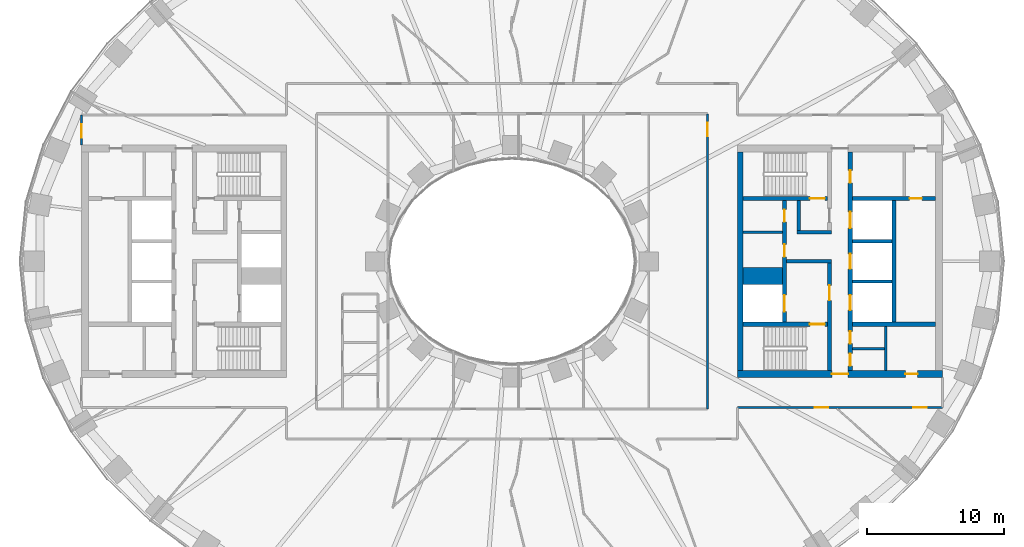
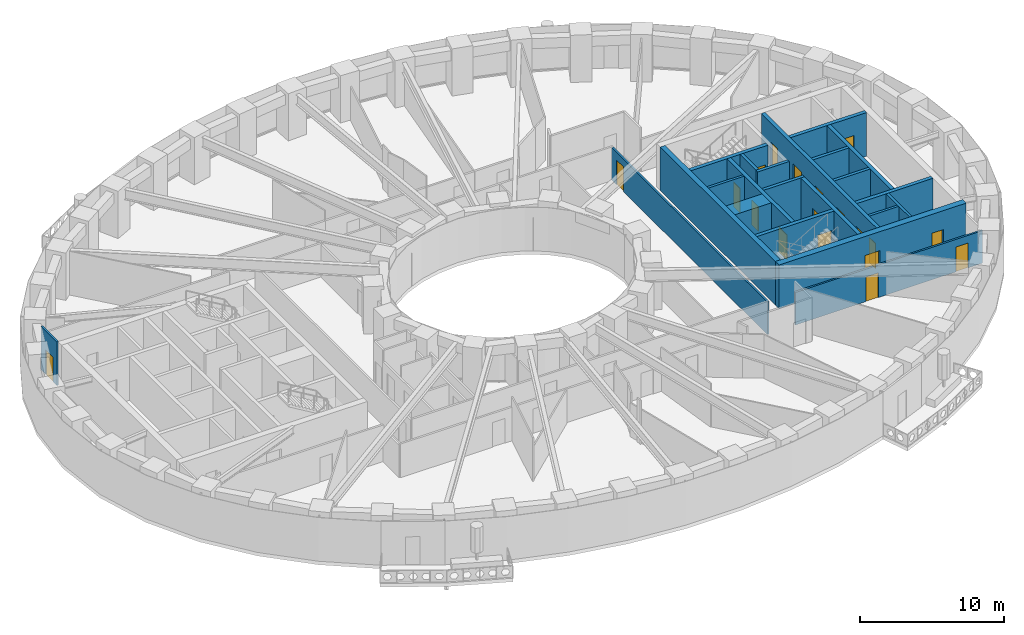
# One storey, part 5 of 15: 22 walls, 19 doors, 19 openings.
"""IFC4 building model written with IfcOpenShell, lengths in metres."""

from ifc_helpers import new_model, si_unit, direction, frame, frame_2d, origin, place, context, subcontext, project, spatial, rectangle, extrude, material, layer, layer_set, type_object, element, fill, save


model = new_model("IFC4")

# Units and contexts
model_context = context("Model", 3, precision=1e-05, world=origin(), true_north=direction((0.0, 1.0)))
body_context = subcontext(model_context, "Body", "Model", "MODEL_VIEW")
ifc_project = project(units=[si_unit("LENGTHUNIT", "METRE"), si_unit("AREAUNIT", "SQUARE_METRE"), si_unit("VOLUMEUNIT", "CUBIC_METRE"), si_unit("PLANEANGLEUNIT", "RADIAN"), si_unit("MASSUNIT", "GRAM", prefix="KILO")], contexts=[model_context])

# Site, building, storey
site_placement = place(None, origin())
site = spatial("IfcSite", under=ifc_project, at=site_placement, CompositionType="ELEMENT")
building_placement = place(site_placement, origin())
building = spatial("IfcBuilding", under=site, at=building_placement, Name="Noorbagh Ring Tower", CompositionType="ELEMENT")
storey_placement = place(building_placement, frame((0.0, 0.0, 38.5)))
storey = spatial("IfcBuildingStorey", under=building, at=storey_placement, Name="L07", CompositionType="ELEMENT", Elevation=38.5)

# Walls
ifc_material_1 = material(Name="Gypsum board on steel studs", Category="steel")
ifc_layer_1 = layer(ifc_material_1, 0.199951171875)
ifc_layer_set_1 = layer_set([ifc_layer_1], Name="Gypsum board on steel studs")
wall_type_1 = type_object("IfcWallType", Name="CORE-PARTITION-200", PredefinedType="PARTITIONING", material=ifc_layer_set_1)
wall_1_placement = place(storey_placement, frame((16.89990234375, 2.125, 0.0), z_axis=(0.0, 0.0, 1.0), x_axis=(1.0, 0.0, 0.0)))
element("IfcWall", 1, at=wall_1_placement, inside=storey, type_object=wall_type_1, Name="Core partition E", PredefinedType="PARTITIONING", context=body_context, shape_type="SweptSolid", body=[
    extrude(rectangle(XDim=2.900146484375, YDim=0.199951171875, at=frame_2d((1.4501953125, 0.0))), origin(), (0.0, 0.0, 1.0), 3.699951171875),
])
wall_2_placement = place(storey_placement, frame((27.35009765625, -8.0, 0.0), z_axis=(0.0, 0.0, 1.0), x_axis=(0.0, 1.0, 0.0)))
element("IfcWall", 2, at=wall_2_placement, inside=storey, type_object=wall_type_1, Name="Core partition E", PredefinedType="PARTITIONING", context=body_context, shape_type="SweptSolid", body=[
    extrude(rectangle(XDim=3.25, YDim=0.199951171875, at=frame_2d((1.625, 0.0))), origin(), (0.0, 0.0, 1.0), 3.699951171875),
])
wall_3_placement = place(storey_placement, frame((24.89990234375, -6.39990234375, 0.0), z_axis=(0.0, 0.0, 1.0), x_axis=(1.0, 0.0, 0.0)))
element("IfcWall", 3, at=wall_3_placement, inside=storey, type_object=wall_type_1, Name="Core partition E", PredefinedType="PARTITIONING", context=body_context, shape_type="SweptSolid", body=[
    extrude(rectangle(XDim=2.35009765625, YDim=0.199951171875, at=frame_2d((1.175048828125, 0.0))), origin(), (0.0, 0.0, 1.0), 3.699951171875),
])
ifc_material_2 = material(Name="Concrete C70/85", Category="concrete")
ifc_layer_2 = layer(ifc_material_2, 1.25)
ifc_layer_set_2 = layer_set([ifc_layer_2], Name="Concrete C70/85")
wall_type_2 = type_object("IfcWallType", Name="CORE-WALL-1250-C70-85-EI120", PredefinedType="SHEAR", material=ifc_layer_set_2)
wall_4_placement = place(storey_placement, frame((16.89990234375, -1.074951171875, 0.0), z_axis=(0.0, 0.0, 1.0), x_axis=(1.0, 0.0, 0.0)))
element("IfcWall", 4, at=wall_4_placement, inside=storey, type_object=wall_type_2, Name="Core wall E", PredefinedType="SHEAR", context=body_context, shape_type="SweptSolid", body=[
    extrude(rectangle(XDim=2.900146484375, YDim=1.25, at=frame_2d((1.4501953125, 0.0))), origin(), (0.0, 0.0, 1.0), 3.699951171875),
])
ifc_material_3 = material(Name="Concrete C70/85", Category="concrete")
ifc_layer_3 = layer(ifc_material_3, 0.25)
ifc_layer_set_3 = layer_set([ifc_layer_3], Name="Concrete C70/85")
wall_type_3 = type_object("IfcWallType", Name="CORE-WALL-250-C70-85-EI120", PredefinedType="SHEAR", material=ifc_layer_set_3)
for number, where, z_axis, x_axis, name in (
    (5, (24.89990234375, -1.47509765625, 0.0), (0.0, 0.0, 1.0), (1.0, 0.0, 0.0), "Core wall E"),
    (6, (24.89990234375, 1.47509765625, 0.0), (0.0, 0.0, 1.0), (1.0, 0.0, 0.0), "Core wall E"),
):
    element("IfcWall", number, at=place(storey_placement, frame(where, z_axis=z_axis, x_axis=x_axis)), inside=storey, type_object=wall_type_3, Name=name, PredefinedType="SHEAR", context=body_context, shape_type="SweptSolid", body=[
        extrude(rectangle(XDim=2.900146484375, YDim=0.25, at=frame_2d((1.4501953125, 0.0))), origin(), (0.0, 0.0, 1.0), 3.699951171875),
    ])
ifc_material_4 = material(Name="Concrete C70/85", Category="concrete")
ifc_layer_4 = layer(ifc_material_4, 0.25)
ifc_layer_set_4 = layer_set([ifc_layer_4], Name="Concrete C70/85")
wall_type_4 = type_object("IfcWallType", Name="CORE-WALL-250-C70-85-EI240", PredefinedType="SHEAR", material=ifc_layer_set_4)
wall_5_placement = place(storey_placement, frame((20.10009765625, 0.0, 0.0), z_axis=(0.0, 0.0, 1.0), x_axis=(1.0, 0.0, 0.0)))
element("IfcWall", 7, at=wall_5_placement, inside=storey, type_object=wall_type_4, Name="Core wall E", PredefinedType="SHEAR", context=body_context, shape_type="SweptSolid", body=[
    extrude(rectangle(XDim=3.27978515625, YDim=0.25, at=frame_2d((1.639892578125, 0.0))), origin(), (0.0, 0.0, 1.0), 3.699951171875),
])
wall_6_placement = place(storey_placement, frame((20.85009765625, 2.125, 0.0), z_axis=(0.0, 0.0, 1.0), x_axis=(1.0, 0.0, 0.0)))
element("IfcWall", 8, at=wall_6_placement, inside=storey, type_object=wall_type_4, Name="Core wall E", PredefinedType="SHEAR", context=body_context, shape_type="SweptSolid", body=[
    extrude(rectangle(XDim=2.52978515625, YDim=0.25, at=frame_2d((1.264892578125, 0.0))), origin(), (0.0, 0.0, 1.0), 3.699951171875),
])
wall_7_placement = place(storey_placement, frame((20.97509765625, 2.25, 0.0), z_axis=(0.0, 0.0, 1.0), x_axis=(0.0, 1.0, 0.0)))
element("IfcWall", 9, at=wall_7_placement, inside=storey, type_object=wall_type_4, Name="Core wall E", PredefinedType="SHEAR", context=body_context, shape_type="SweptSolid", body=[
    extrude(rectangle(XDim=2.199951171875, YDim=0.25, at=frame_2d((1.10009765625, 0.0))), origin(), (0.0, 0.0, 1.0), 3.699951171875),
])
ifc_material_5 = material(Name="Concrete C70/85", Category="concrete")
ifc_layer_5 = layer(ifc_material_5, 0.300048828125)
ifc_layer_set_5 = layer_set([ifc_layer_5], Name="Concrete C70/85")
wall_type_5 = type_object("IfcWallType", Name="CORE-WALL-300-C70-85-EI120", PredefinedType="SHEAR", material=ifc_layer_set_5)
wall_8_placement = place(storey_placement, frame((27.949951171875, -4.449951171875, 0.0), z_axis=(0.0, 0.0, 1.0), x_axis=(0.0, 1.0, 0.0)))
element("IfcWall", 10, at=wall_8_placement, inside=storey, type_object=wall_type_5, Name="Core wall E", PredefinedType="SHEAR", context=body_context, shape_type="SweptSolid", body=[
    extrude(rectangle(XDim=8.89990234375, YDim=0.300048828125, at=frame_2d((4.449951171875, 0.0))), origin(), (0.0, 0.0, 1.0), 3.699951171875),
])

# Wall, openings, doors
wall_9_placement = place(storey_placement, frame((19.949951171875, -4.449951171875, 0.0), z_axis=(0.0, 0.0, 1.0), x_axis=(0.0, 1.0, 0.0)))
wall_9 = element("IfcWall", 11, at=wall_9_placement, inside=storey, type_object=wall_type_5, Name="Core wall E", PredefinedType="SHEAR", context=body_context, shape_type="SweptSolid", body=[
    extrude(rectangle(XDim=8.89990234375, YDim=0.300048828125, at=frame_2d((4.449951171875, 0.0))), origin(), (0.0, 0.0, 1.0), 3.699951171875),
])
opening_1_placement = place(wall_9_placement, frame((0.77490234375, 0.0, 0.0)))
opening_1 = element("IfcOpeningElement", 12, at=opening_1_placement, cuts=wall_9, Name="Opening L07-CE01", PredefinedType="OPENING", context=body_context, shape_type="SweptSolid", body=[
    extrude(rectangle(XDim=1.199951171875, YDim=2.10009765625, at=frame_2d((0.60009765625, 1.050048828125))), frame((0.0, 0.16015625, 0.0), z_axis=(0.0, -1.0, 0.0), x_axis=(1.0, 0.0, 0.0)), (0.0, 0.0, 1.0), 0.320068359375),
])
opening_2_placement = place(wall_9_placement, frame((4.78759765625, 0.0, 0.0)))
opening_2 = element("IfcOpeningElement", 13, at=opening_2_placement, cuts=wall_9, Name="Opening L07-CE11", PredefinedType="OPENING", context=body_context, shape_type="SweptSolid", body=[
    extrude(rectangle(XDim=0.89990234375, YDim=2.10009765625, at=frame_2d((0.449951171875, 1.050048828125))), frame((0.0, 0.16015625, 0.0), z_axis=(0.0, -1.0, 0.0), x_axis=(1.0, 0.0, 0.0)), (0.0, 0.0, 1.0), 0.320068359375),
])
opening_3_placement = place(wall_9_placement, frame((7.33740234375, 0.0, 0.0)))
opening_3 = element("IfcOpeningElement", 14, at=opening_3_placement, cuts=wall_9, Name="Opening L07-CE12", PredefinedType="OPENING", context=body_context, shape_type="SweptSolid", body=[
    extrude(rectangle(XDim=0.89990234375, YDim=2.10009765625, at=frame_2d((0.449951171875, 1.050048828125))), frame((0.0, 0.16015625, 0.0), z_axis=(0.0, -1.0, 0.0), x_axis=(1.0, 0.0, 0.0)), (0.0, 0.0, 1.0), 0.320068359375),
])
ifc_material_6 = material(Name="Steel door leaf", Category="steel")
door_type_1 = type_object("IfcDoorType", Name="CORE-DOOR-DROOM", OperationType="SINGLE_SWING_LEFT", PredefinedType="DOOR", material=ifc_material_6)
door_1_placement = place(opening_2_placement, origin())
door_1 = element("IfcDoor", 15, at=door_1_placement, inside=storey, type_object=door_type_1, Name="Core room door L07-CE11", OperationType="SINGLE_SWING_RIGHT", OverallHeight=2.10009765625, OverallWidth=0.89990234375, PredefinedType="DOOR", context=body_context, shape_type="SweptSolid", body=[
    extrude(rectangle(XDim=0.89990234375, YDim=2.10009765625, at=frame_2d((0.449951171875, 1.050048828125))), frame((0.0, 0.02490234375, 0.0), z_axis=(0.0, -1.0, 0.0), x_axis=(1.0, 0.0, 0.0)), (0.0, 0.0, 1.0), 0.050048828125),
])
fill(opening_2, door_1)
door_2_placement = place(opening_3_placement, origin())
door_2 = element("IfcDoor", 16, at=door_2_placement, inside=storey, type_object=door_type_1, Name="Core room door L07-CE12", OperationType="SINGLE_SWING_RIGHT", OverallHeight=2.10009765625, OverallWidth=0.89990234375, PredefinedType="DOOR", context=body_context, shape_type="SweptSolid", body=[
    extrude(rectangle(XDim=0.89990234375, YDim=2.10009765625, at=frame_2d((0.449951171875, 1.050048828125))), frame((0.0, 0.02490234375, 0.0), z_axis=(0.0, -1.0, 0.0), x_axis=(1.0, 0.0, 0.0)), (0.0, 0.0, 1.0), 0.050048828125),
])
fill(opening_3, door_2)
ifc_material_7 = material(Name="Steel door leaf", Category="steel")
door_type_2 = type_object("IfcDoorType", Name="CORE-DOOR-LDW", OperationType="DOUBLE_DOOR_SLIDING", PredefinedType="DOOR", material=ifc_material_7)
door_3_placement = place(opening_1_placement, origin())
door_3 = element("IfcDoor", 17, at=door_3_placement, inside=storey, type_object=door_type_2, Name="Landing door FF2 L07-CE01", OperationType="DOUBLE_DOOR_SLIDING", OverallHeight=2.10009765625, OverallWidth=1.199951171875, PredefinedType="DOOR", context=body_context, shape_type="SweptSolid", body=[
    extrude(rectangle(XDim=1.199951171875, YDim=2.10009765625, at=frame_2d((0.60009765625, 1.050048828125))), frame((0.0, 0.02490234375, 0.0), z_axis=(0.0, -1.0, 0.0), x_axis=(1.0, 0.0, 0.0)), (0.0, 0.0, 1.0), 0.050048828125),
])
fill(opening_1, door_3)

wall_10_placement = place(storey_placement, frame((24.75, -8.0, 0.0), z_axis=(0.0, 0.0, 1.0), x_axis=(0.0, 1.0, 0.0)))
wall_10 = element("IfcWall", 18, at=wall_10_placement, inside=storey, type_object=wall_type_5, Name="Core wall E", PredefinedType="SHEAR", context=body_context, shape_type="SweptSolid", body=[
    extrude(rectangle(XDim=16.0, YDim=0.300048828125, at=frame_2d((8.0, 0.0))), origin(), (0.0, 0.0, 1.0), 3.699951171875),
])
opening_4_placement = place(wall_10_placement, frame((4.425048828125, 0.0, 0.0)))
opening_4 = element("IfcOpeningElement", 19, at=opening_4_placement, cuts=wall_10, Name="Opening L07-CE02", PredefinedType="OPENING", context=body_context, shape_type="SweptSolid", body=[
    extrude(rectangle(XDim=1.10009765625, YDim=2.10009765625, at=frame_2d((0.550048828125, 1.050048828125))), frame((0.0, 0.16015625, 0.0), z_axis=(0.0, -1.0, 0.0), x_axis=(1.0, 0.0, 0.0)), (0.0, 0.0, 1.0), 0.320068359375),
])
opening_5_placement = place(wall_10_placement, frame((7.449951171875, 0.0, 0.0)))
opening_5 = element("IfcOpeningElement", 20, at=opening_5_placement, cuts=wall_10, Name="Opening L07-CE03", PredefinedType="OPENING", context=body_context, shape_type="SweptSolid", body=[
    extrude(rectangle(XDim=1.10009765625, YDim=2.10009765625, at=frame_2d((0.550048828125, 1.050048828125))), frame((0.0, 0.16015625, 0.0), z_axis=(0.0, -1.0, 0.0), x_axis=(1.0, 0.0, 0.0)), (0.0, 0.0, 1.0), 0.320068359375),
])
opening_6_placement = place(wall_10_placement, frame((10.425048828125, 0.0, 0.0)))
opening_6 = element("IfcOpeningElement", 21, at=opening_6_placement, cuts=wall_10, Name="Opening L07-CE04", PredefinedType="OPENING", context=body_context, shape_type="SweptSolid", body=[
    extrude(rectangle(XDim=1.199951171875, YDim=2.10009765625, at=frame_2d((0.60009765625, 1.050048828125))), frame((0.0, 0.16015625, 0.0), z_axis=(0.0, -1.0, 0.0), x_axis=(1.0, 0.0, 0.0)), (0.0, 0.0, 1.0), 0.320068359375),
])
opening_7_placement = place(wall_10_placement, frame((13.75, 0.0, 0.0)))
opening_7 = element("IfcOpeningElement", 22, at=opening_7_placement, cuts=wall_10, Name="Opening L07-CE13", PredefinedType="OPENING", context=body_context, shape_type="SweptSolid", body=[
    extrude(rectangle(XDim=0.89990234375, YDim=2.10009765625, at=frame_2d((0.449951171875, 1.050048828125))), frame((0.0, 0.16015625, 0.0), z_axis=(0.0, -1.0, 0.0), x_axis=(1.0, 0.0, 0.0)), (0.0, 0.0, 1.0), 0.320068359375),
])
opening_8_placement = place(wall_10_placement, frame((1.97509765625, 0.0, 0.0)))
opening_8 = element("IfcOpeningElement", 23, at=opening_8_placement, cuts=wall_10, Name="Opening L07-CE15", PredefinedType="OPENING", context=body_context, shape_type="SweptSolid", body=[
    extrude(rectangle(XDim=0.89990234375, YDim=2.10009765625, at=frame_2d((0.449951171875, 1.050048828125))), frame((0.0, 0.16015625, 0.0), z_axis=(0.0, -1.0, 0.0), x_axis=(1.0, 0.0, 0.0)), (0.0, 0.0, 1.0), 0.320068359375),
])
opening_9_placement = place(wall_10_placement, frame((0.35009765625, 0.0, 0.0)))
opening_9 = element("IfcOpeningElement", 24, at=opening_9_placement, cuts=wall_10, Name="Opening L07-CE16", PredefinedType="OPENING", context=body_context, shape_type="SweptSolid", body=[
    extrude(rectangle(XDim=0.89990234375, YDim=2.10009765625, at=frame_2d((0.449951171875, 1.050048828125))), frame((0.0, 0.16015625, 0.0), z_axis=(0.0, -1.0, 0.0), x_axis=(1.0, 0.0, 0.0)), (0.0, 0.0, 1.0), 0.320068359375),
])
door_4_placement = place(opening_7_placement, origin())
door_4 = element("IfcDoor", 25, at=door_4_placement, inside=storey, type_object=door_type_1, Name="Core room door L07-CE13", OperationType="SINGLE_SWING_LEFT", OverallHeight=2.10009765625, OverallWidth=0.89990234375, PredefinedType="DOOR", context=body_context, shape_type="SweptSolid", body=[
    extrude(rectangle(XDim=0.89990234375, YDim=2.10009765625, at=frame_2d((0.449951171875, 1.050048828125))), frame((0.0, 0.02490234375, 0.0), z_axis=(0.0, -1.0, 0.0), x_axis=(1.0, 0.0, 0.0)), (0.0, 0.0, 1.0), 0.050048828125),
])
fill(opening_7, door_4)
door_5_placement = place(opening_8_placement, origin())
door_5 = element("IfcDoor", 26, at=door_5_placement, inside=storey, type_object=door_type_1, Name="Core room door L07-CE15", OperationType="SINGLE_SWING_LEFT", OverallHeight=2.10009765625, OverallWidth=0.89990234375, PredefinedType="DOOR", context=body_context, shape_type="SweptSolid", body=[
    extrude(rectangle(XDim=0.89990234375, YDim=2.10009765625, at=frame_2d((0.449951171875, 1.050048828125))), frame((0.0, 0.02490234375, 0.0), z_axis=(0.0, -1.0, 0.0), x_axis=(1.0, 0.0, 0.0)), (0.0, 0.0, 1.0), 0.050048828125),
])
fill(opening_8, door_5)
door_6_placement = place(opening_9_placement, origin())
door_6 = element("IfcDoor", 27, at=door_6_placement, inside=storey, type_object=door_type_1, Name="Core room door L07-CE16", OperationType="SINGLE_SWING_RIGHT", OverallHeight=2.10009765625, OverallWidth=0.89990234375, PredefinedType="DOOR", context=body_context, shape_type="SweptSolid", body=[
    extrude(rectangle(XDim=0.89990234375, YDim=2.10009765625, at=frame_2d((0.449951171875, 1.050048828125))), frame((0.0, 0.02490234375, 0.0), z_axis=(0.0, -1.0, 0.0), x_axis=(1.0, 0.0, 0.0)), (0.0, 0.0, 1.0), 0.050048828125),
])
fill(opening_9, door_6)
ifc_material_8 = material(Name="Steel door leaf", Category="steel")
door_type_3 = type_object("IfcDoorType", Name="CORE-DOOR-LD", OperationType="DOUBLE_DOOR_SLIDING", PredefinedType="DOOR", material=ifc_material_8)
door_7_placement = place(opening_4_placement, origin())
door_7 = element("IfcDoor", 28, at=door_7_placement, inside=storey, type_object=door_type_3, Name="Landing door LR3 L07-CE02", OperationType="DOUBLE_DOOR_SLIDING", OverallHeight=2.10009765625, OverallWidth=1.10009765625, PredefinedType="DOOR", context=body_context, shape_type="SweptSolid", body=[
    extrude(rectangle(XDim=1.10009765625, YDim=2.10009765625, at=frame_2d((0.550048828125, 1.050048828125))), frame((0.0, 0.02490234375, 0.0), z_axis=(0.0, -1.0, 0.0), x_axis=(1.0, 0.0, 0.0)), (0.0, 0.0, 1.0), 0.050048828125),
])
fill(opening_4, door_7)
door_8_placement = place(opening_5_placement, origin())
door_8 = element("IfcDoor", 29, at=door_8_placement, inside=storey, type_object=door_type_3, Name="Landing door LR4 L07-CE03", OperationType="DOUBLE_DOOR_SLIDING", OverallHeight=2.10009765625, OverallWidth=1.10009765625, PredefinedType="DOOR", context=body_context, shape_type="SweptSolid", body=[
    extrude(rectangle(XDim=1.10009765625, YDim=2.10009765625, at=frame_2d((0.550048828125, 1.050048828125))), frame((0.0, 0.02490234375, 0.0), z_axis=(0.0, -1.0, 0.0), x_axis=(1.0, 0.0, 0.0)), (0.0, 0.0, 1.0), 0.050048828125),
])
fill(opening_5, door_8)
door_9_placement = place(opening_6_placement, origin())
door_9 = element("IfcDoor", 30, at=door_9_placement, inside=storey, type_object=door_type_2, Name="Landing door SV2 L07-CE04", OperationType="DOUBLE_DOOR_SLIDING", OverallHeight=2.10009765625, OverallWidth=1.199951171875, PredefinedType="DOOR", context=body_context, shape_type="SweptSolid", body=[
    extrude(rectangle(XDim=1.199951171875, YDim=2.10009765625, at=frame_2d((0.60009765625, 1.050048828125))), frame((0.0, 0.02490234375, 0.0), z_axis=(0.0, -1.0, 0.0), x_axis=(1.0, 0.0, 0.0)), (0.0, 0.0, 1.0), 0.050048828125),
])
fill(opening_6, door_9)

# Wall, opening, door
ifc_material_9 = material(Name="Concrete C70/85", Category="concrete")
ifc_layer_6 = layer(ifc_material_9, 0.300048828125)
ifc_layer_set_6 = layer_set([ifc_layer_6], Name="Concrete C70/85")
wall_type_6 = type_object("IfcWallType", Name="CORE-WALL-300-C70-85-EI240", PredefinedType="SHEAR", material=ifc_layer_set_6)
wall_11_placement = place(storey_placement, frame((24.89990234375, 4.60009765625, 0.0), z_axis=(0.0, 0.0, 1.0), x_axis=(1.0, 0.0, 0.0)))
wall_11 = element("IfcWall", 31, at=wall_11_placement, inside=storey, type_object=wall_type_6, Name="Core wall E", PredefinedType="SHEAR", context=body_context, shape_type="SweptSolid", body=[
    extrude(rectangle(XDim=6.10009765625, YDim=0.300048828125, at=frame_2d((3.050048828125, 0.0))), origin(), (0.0, 0.0, 1.0), 3.699951171875),
])
opening_10_placement = place(wall_11_placement, frame((4.199951171875, 0.0, 0.0)))
opening_10 = element("IfcOpeningElement", 32, at=opening_10_placement, cuts=wall_11, Name="Opening L07-CE18", PredefinedType="OPENING", context=body_context, shape_type="SweptSolid", body=[
    extrude(rectangle(XDim=0.89990234375, YDim=2.10009765625, at=frame_2d((0.449951171875, 1.050048828125))), frame((0.0, 0.16015625, 0.0), z_axis=(0.0, -1.0, 0.0), x_axis=(1.0, 0.0, 0.0)), (0.0, 0.0, 1.0), 0.320068359375),
])
door_10_placement = place(opening_10_placement, origin())
door_10 = element("IfcDoor", 33, at=door_10_placement, inside=storey, type_object=door_type_1, Name="Core room door L07-CE18", OperationType="SINGLE_SWING_RIGHT", OverallHeight=2.10009765625, OverallWidth=0.89990234375, PredefinedType="DOOR", context=body_context, shape_type="SweptSolid", body=[
    extrude(rectangle(XDim=0.89990234375, YDim=2.10009765625, at=frame_2d((0.449951171875, 1.050048828125))), frame((0.0, 0.02490234375, 0.0), z_axis=(0.0, -1.0, 0.0), x_axis=(1.0, 0.0, 0.0)), (0.0, 0.0, 1.0), 0.050048828125),
])
fill(opening_10, door_10)

# Wall
wall_12_placement = place(storey_placement, frame((24.89990234375, -4.60009765625, 0.0), z_axis=(0.0, 0.0, 1.0), x_axis=(1.0, 0.0, 0.0)))
element("IfcWall", 34, at=wall_12_placement, inside=storey, type_object=wall_type_6, Name="Core wall E", PredefinedType="SHEAR", context=body_context, shape_type="SweptSolid", body=[
    extrude(rectangle(XDim=6.10009765625, YDim=0.300048828125, at=frame_2d((3.050048828125, 0.0))), origin(), (0.0, 0.0, 1.0), 3.699951171875),
])

# Wall, opening, door
wall_13_placement = place(storey_placement, frame((23.22998046875, -8.0, 0.0), z_axis=(0.0, 0.0, 1.0), x_axis=(0.0, 1.0, 0.0)))
wall_13 = element("IfcWall", 35, at=wall_13_placement, inside=storey, type_object=wall_type_6, Name="Core wall E", PredefinedType="SHEAR", context=body_context, shape_type="SweptSolid", body=[
    extrude(rectangle(XDim=7.875, YDim=0.300048828125, at=frame_2d((3.9375, 0.0))), origin(), (0.0, 0.0, 1.0), 3.699951171875),
])
opening_11_placement = place(wall_13_placement, frame((5.14990234375, 0.0, 0.0)))
opening_11 = element("IfcOpeningElement", 36, at=opening_11_placement, cuts=wall_13, Name="Opening L07-CE07", PredefinedType="OPENING", context=body_context, shape_type="SweptSolid", body=[
    extrude(rectangle(XDim=1.10009765625, YDim=2.10009765625, at=frame_2d((0.550048828125, 1.050048828125))), frame((0.0, 0.16015625, 0.0), z_axis=(0.0, -1.0, 0.0), x_axis=(1.0, 0.0, 0.0)), (0.0, 0.0, 1.0), 0.320068359375),
])
ifc_material_10 = material(Name="Steel door leaf", Category="steel")
door_type_4 = type_object("IfcDoorType", Name="CORE-DOOR-DFF", OperationType="SINGLE_SWING_LEFT", PredefinedType="DOOR", material=ifc_material_10)
door_11_placement = place(opening_11_placement, origin())
door_11 = element("IfcDoor", 37, at=door_11_placement, inside=storey, type_object=door_type_4, Name="Firefighting lobby door L07-CE07", OperationType="SINGLE_SWING_RIGHT", OverallHeight=2.10009765625, OverallWidth=1.10009765625, PredefinedType="DOOR", context=body_context, shape_type="SweptSolid", body=[
    extrude(rectangle(XDim=1.10009765625, YDim=2.10009765625, at=frame_2d((0.550048828125, 1.050048828125))), frame((0.0, 0.02490234375, 0.0), z_axis=(0.0, -1.0, 0.0), x_axis=(1.0, 0.0, 0.0)), (0.0, 0.0, 1.0), 0.050048828125),
])
fill(opening_11, door_11)

wall_14_placement = place(storey_placement, frame((16.89990234375, 4.60009765625, 0.0), z_axis=(0.0, 0.0, 1.0), x_axis=(1.0, 0.0, 0.0)))
wall_14 = element("IfcWall", 38, at=wall_14_placement, inside=storey, type_object=wall_type_6, Name="Core wall E", PredefinedType="SHEAR", context=body_context, shape_type="SweptSolid", body=[
    extrude(rectangle(XDim=6.18017578125, YDim=0.300048828125, at=frame_2d((3.090087890625, 0.0))), origin(), (0.0, 0.0, 1.0), 3.699951171875),
])
opening_12_placement = place(wall_14_placement, frame((4.89990234375, 0.0, 0.0)))
opening_12 = element("IfcOpeningElement", 39, at=opening_12_placement, cuts=wall_14, Name="Opening L07-CE05", PredefinedType="OPENING", context=body_context, shape_type="SweptSolid", body=[
    extrude(rectangle(XDim=1.10009765625, YDim=2.10009765625, at=frame_2d((0.550048828125, 1.050048828125))), frame((0.0, 0.16015625, 0.0), z_axis=(0.0, -1.0, 0.0), x_axis=(1.0, 0.0, 0.0)), (0.0, 0.0, 1.0), 0.320068359375),
])
ifc_material_11 = material(Name="Steel door leaf", Category="steel")
door_type_5 = type_object("IfcDoorType", Name="CORE-DOOR-DSTAIR", OperationType="SINGLE_SWING_LEFT", PredefinedType="DOOR", material=ifc_material_11)
door_12_placement = place(opening_12_placement, origin())
door_12 = element("IfcDoor", 40, at=door_12_placement, inside=storey, type_object=door_type_5, Name="Stair door ST3 L07-CE05", OperationType="SINGLE_SWING_LEFT", OverallHeight=2.10009765625, OverallWidth=1.10009765625, PredefinedType="DOOR", context=body_context, shape_type="SweptSolid", body=[
    extrude(rectangle(XDim=1.10009765625, YDim=2.10009765625, at=frame_2d((0.550048828125, 1.050048828125))), frame((0.0, 0.02490234375, 0.0), z_axis=(0.0, -1.0, 0.0), x_axis=(1.0, 0.0, 0.0)), (0.0, 0.0, 1.0), 0.050048828125),
])
fill(opening_12, door_12)

wall_15_placement = place(storey_placement, frame((16.89990234375, -4.60009765625, 0.0), z_axis=(0.0, 0.0, 1.0), x_axis=(1.0, 0.0, 0.0)))
wall_15 = element("IfcWall", 41, at=wall_15_placement, inside=storey, type_object=wall_type_6, Name="Core wall E", PredefinedType="SHEAR", context=body_context, shape_type="SweptSolid", body=[
    extrude(rectangle(XDim=6.18017578125, YDim=0.300048828125, at=frame_2d((3.090087890625, 0.0))), origin(), (0.0, 0.0, 1.0), 3.699951171875),
])
opening_13_placement = place(wall_15_placement, frame((4.89990234375, 0.0, 0.0)))
opening_13 = element("IfcOpeningElement", 42, at=opening_13_placement, cuts=wall_15, Name="Opening L07-CE06", PredefinedType="OPENING", context=body_context, shape_type="SweptSolid", body=[
    extrude(rectangle(XDim=1.10009765625, YDim=2.10009765625, at=frame_2d((0.550048828125, 1.050048828125))), frame((0.0, 0.16015625, 0.0), z_axis=(0.0, -1.0, 0.0), x_axis=(1.0, 0.0, 0.0)), (0.0, 0.0, 1.0), 0.320068359375),
])
door_13_placement = place(opening_13_placement, origin())
door_13 = element("IfcDoor", 43, at=door_13_placement, inside=storey, type_object=door_type_5, Name="Stair door ST4 L07-CE06", OperationType="SINGLE_SWING_RIGHT", OverallHeight=2.10009765625, OverallWidth=1.10009765625, PredefinedType="DOOR", context=body_context, shape_type="SweptSolid", body=[
    extrude(rectangle(XDim=1.10009765625, YDim=2.10009765625, at=frame_2d((0.550048828125, 1.050048828125))), frame((0.0, 0.02490234375, 0.0), z_axis=(0.0, -1.0, 0.0), x_axis=(1.0, 0.0, 0.0)), (0.0, 0.0, 1.0), 0.050048828125),
])
fill(opening_13, door_13)

# Wall
ifc_material_12 = material(Name="Concrete C70/85", Category="concrete")
ifc_layer_7 = layer(ifc_material_12, 0.39990234375)
ifc_layer_set_7 = layer_set([ifc_layer_7], Name="Concrete C70/85")
wall_type_7 = type_object("IfcWallType", Name="CORE-WALL-400-C70-85-EI240", PredefinedType="SHEAR", material=ifc_layer_set_7)
wall_16_placement = place(storey_placement, frame((16.699951171875, -8.0, 0.0), z_axis=(0.0, 0.0, 1.0), x_axis=(0.0, 1.0, 0.0)))
element("IfcWall", 44, at=wall_16_placement, inside=storey, type_object=wall_type_7, Name="Core wall E", PredefinedType="SHEAR", context=body_context, shape_type="SweptSolid", body=[
    extrude(rectangle(XDim=16.0, YDim=0.39990234375, at=frame_2d((8.0, 0.0))), origin(), (0.0, 0.0, 1.0), 3.699951171875),
])

# Wall, openings, doors
ifc_material_13 = material(Name="Concrete C70/85", Category="concrete")
ifc_layer_8 = layer(ifc_material_13, 0.5)
ifc_layer_set_8 = layer_set([ifc_layer_8], Name="Concrete C70/85")
wall_type_8 = type_object("IfcWallType", Name="CORE-WALL-500-C70-85-EI240", PredefinedType="SHEAR", material=ifc_layer_set_8)
wall_17_placement = place(storey_placement, frame((16.5, -8.25, 0.0), z_axis=(0.0, 0.0, 1.0), x_axis=(1.0, 0.0, 0.0)))
wall_17 = element("IfcWall", 45, at=wall_17_placement, inside=storey, type_object=wall_type_8, Name="Core wall E", PredefinedType="SHEAR", context=body_context, shape_type="SweptSolid", body=[
    extrude(rectangle(XDim=15.0, YDim=0.5, at=frame_2d((7.5, 0.0))), origin(), (0.0, 0.0, 1.0), 3.699951171875),
])
opening_14_placement = place(wall_17_placement, frame((6.89990234375, 0.0, 0.0)))
opening_14 = element("IfcOpeningElement", 46, at=opening_14_placement, cuts=wall_17, Name="Opening L07-CE10", PredefinedType="OPENING", context=body_context, shape_type="SweptSolid", body=[
    extrude(rectangle(XDim=1.199951171875, YDim=2.10009765625, at=frame_2d((0.60009765625, 1.050048828125))), frame((0.0, 0.260009765625, 0.0), z_axis=(0.0, -1.0, 0.0), x_axis=(1.0, 0.0, 0.0)), (0.0, 0.0, 1.0), 0.52001953125),
])
opening_15_placement = place(wall_17_placement, frame((12.27490234375, 0.0, 0.0)))
opening_15 = element("IfcOpeningElement", 47, at=opening_15_placement, cuts=wall_17, Name="Opening L07-CE17", PredefinedType="OPENING", context=body_context, shape_type="SweptSolid", body=[
    extrude(rectangle(XDim=0.89990234375, YDim=2.10009765625, at=frame_2d((0.449951171875, 1.050048828125))), frame((0.0, 0.260009765625, 0.0), z_axis=(0.0, -1.0, 0.0), x_axis=(1.0, 0.0, 0.0)), (0.0, 0.0, 1.0), 0.52001953125),
])
door_14_placement = place(opening_15_placement, origin())
door_14 = element("IfcDoor", 48, at=door_14_placement, inside=storey, type_object=door_type_1, Name="Core room door L07-CE17", OperationType="SINGLE_SWING_RIGHT", OverallHeight=2.10009765625, OverallWidth=0.89990234375, PredefinedType="DOOR", context=body_context, shape_type="SweptSolid", body=[
    extrude(rectangle(XDim=0.89990234375, YDim=2.10009765625, at=frame_2d((0.449951171875, 1.050048828125))), frame((0.0, 0.02490234375, 0.0), z_axis=(0.0, -1.0, 0.0), x_axis=(1.0, 0.0, 0.0)), (0.0, 0.0, 1.0), 0.050048828125),
])
fill(opening_15, door_14)
ifc_material_14 = material(Name="Steel door leaf", Category="steel")
door_type_6 = type_object("IfcDoorType", Name="CORE-DOOR-PORT", OperationType="DOUBLE_DOOR_DOUBLE_SWING", PredefinedType="DOOR", material=ifc_material_14)
door_15_placement = place(opening_14_placement, origin())
door_15 = element("IfcDoor", 49, at=door_15_placement, inside=storey, type_object=door_type_6, Name="Core entrance door L07-CE10", OperationType="DOUBLE_DOOR_DOUBLE_SWING", OverallHeight=2.10009765625, OverallWidth=1.199951171875, PredefinedType="DOOR", context=body_context, shape_type="SweptSolid", body=[
    extrude(rectangle(XDim=1.199951171875, YDim=2.10009765625, at=frame_2d((0.60009765625, 1.050048828125))), frame((0.0, 0.02490234375, 0.0), z_axis=(0.0, -1.0, 0.0), x_axis=(1.0, 0.0, 0.0)), (0.0, 0.0, 1.0), 0.050048828125),
])
fill(opening_14, door_15)

# Wall, opening, door
ifc_material_15 = material(Name="Gypsum board on steel studs", Category="steel")
ifc_layer_9 = layer(ifc_material_15, 0.14990234375)
ifc_layer_set_9 = layer_set([ifc_layer_9], Name="Gypsum board on steel studs")
wall_type_9 = type_object("IfcWallType", Name="CORRIDOR PARTITION 150 EI 30", PredefinedType="PARTITIONING", material=ifc_layer_set_9)
wall_18_placement = place(storey_placement, frame((-31.5, 8.5, 0.0), z_axis=(0.0, 0.0, 1.0), x_axis=(0.0, 1.0, 0.0)))
wall_18 = element("IfcWall", 50, at=wall_18_placement, inside=storey, type_object=wall_type_9, Name="L07/wall/P06", PredefinedType="PARTITIONING", context=body_context, shape_type="SweptSolid", body=[
    extrude(rectangle(XDim=2.199951171875, YDim=0.14990234375, at=frame_2d((1.10009765625, 0.0))), origin(), (0.0, 0.0, 1.0), 3.699951171875),
])
opening_16_placement = place(wall_18_placement, frame((0.550048828125, 0.0, 0.0)))
opening_16 = element("IfcOpeningElement", 51, at=opening_16_placement, cuts=wall_18, Name="Opening D1", PredefinedType="OPENING", context=body_context, shape_type="SweptSolid", body=[
    extrude(rectangle(XDim=1.0, YDim=2.10009765625, at=frame_2d((0.5, 1.050048828125))), frame((0.0, 0.0849609375, 0.0), z_axis=(0.0, -1.0, 0.0), x_axis=(1.0, 0.0, 0.0)), (0.0, 0.0, 1.0), 0.169921875),
])
ifc_material_16 = material(Name="Timber, painted", Category="wood")
door_type_7 = type_object("IfcDoorType", Name="DOOR 1000 X 2100 FD30", OperationType="SINGLE_SWING_LEFT", PredefinedType="DOOR", material=ifc_material_16)
door_16_placement = place(opening_16_placement, origin())
door_16 = element("IfcDoor", 52, at=door_16_placement, inside=storey, type_object=door_type_7, Name="L07-D07", OperationType="SINGLE_SWING_LEFT", OverallHeight=2.10009765625, OverallWidth=1.0, PredefinedType="DOOR", context=body_context, shape_type="SweptSolid", body=[
    extrude(rectangle(XDim=1.0, YDim=2.10009765625, at=frame_2d((0.5, 1.050048828125))), frame((0.0, 0.02490234375, 0.0), z_axis=(0.0, -1.0, 0.0), x_axis=(1.0, 0.0, 0.0)), (0.0, 0.0, 1.0), 0.050048828125),
])
fill(opening_16, door_16)

wall_19_placement = place(storey_placement, frame((14.300048828125, -10.800048828125, 0.0), z_axis=(0.0, 0.0, 1.0), x_axis=(0.0, 1.0, 0.0)))
wall_19 = element("IfcWall", 53, at=wall_19_placement, inside=storey, type_object=wall_type_9, Name="L07/wall/P65", PredefinedType="PARTITIONING", context=body_context, shape_type="SweptSolid", body=[
    extrude(rectangle(XDim=21.60009765625, YDim=0.14990234375, at=frame_2d((10.800048828125, 0.0))), origin(), (0.0, 0.0, 1.0), 2.75),
])
opening_17_placement = place(wall_19_placement, frame((19.949951171875, 0.0, 0.0)))
opening_17 = element("IfcOpeningElement", 54, at=opening_17_placement, cuts=wall_19, Name="Opening D1", PredefinedType="OPENING", context=body_context, shape_type="SweptSolid", body=[
    extrude(rectangle(XDim=1.0, YDim=2.10009765625, at=frame_2d((0.5, 1.050048828125))), frame((0.0, 0.0849609375, 0.0), z_axis=(0.0, -1.0, 0.0), x_axis=(1.0, 0.0, 0.0)), (0.0, 0.0, 1.0), 0.169921875),
])
door_17_placement = place(opening_17_placement, origin())
door_17 = element("IfcDoor", 55, at=door_17_placement, inside=storey, type_object=door_type_7, Name="L07-D31", OperationType="SINGLE_SWING_LEFT", OverallHeight=2.10009765625, OverallWidth=1.0, PredefinedType="DOOR", context=body_context, shape_type="SweptSolid", body=[
    extrude(rectangle(XDim=1.0, YDim=2.10009765625, at=frame_2d((0.5, 1.050048828125))), frame((0.0, 0.02490234375, 0.0), z_axis=(0.0, -1.0, 0.0), x_axis=(1.0, 0.0, 0.0)), (0.0, 0.0, 1.0), 0.050048828125),
])
fill(opening_17, door_17)

# Wall, openings, doors
wall_20_placement = place(storey_placement, frame((16.5, -10.699951171875, 0.0), z_axis=(0.0, 0.0, 1.0), x_axis=(1.0, 0.0, 0.0)))
wall_20 = element("IfcWall", 56, at=wall_20_placement, inside=storey, type_object=wall_type_9, Name="L07/wall/P68", PredefinedType="PARTITIONING", context=body_context, shape_type="SweptSolid", body=[
    extrude(rectangle(XDim=15.0, YDim=0.14990234375, at=frame_2d((7.5, 0.0))), origin(), (0.0, 0.0, 1.0), 2.75),
])
opening_18_placement = place(wall_20_placement, frame((5.64990234375, 0.0, 0.0)))
opening_18 = element("IfcOpeningElement", 57, at=opening_18_placement, cuts=wall_20, Name="Opening D1", PredefinedType="OPENING", context=body_context, shape_type="SweptSolid", body=[
    extrude(rectangle(XDim=1.0, YDim=2.10009765625, at=frame_2d((0.5, 1.050048828125))), frame((0.0, 0.0849609375, 0.0), z_axis=(0.0, -1.0, 0.0), x_axis=(1.0, 0.0, 0.0)), (0.0, 0.0, 1.0), 0.169921875),
])
opening_19_placement = place(wall_20_placement, frame((12.846923828125, 0.0, 0.0)))
opening_19 = element("IfcOpeningElement", 58, at=opening_19_placement, cuts=wall_20, Name="Opening D1", PredefinedType="OPENING", context=body_context, shape_type="SweptSolid", body=[
    extrude(rectangle(XDim=1.0, YDim=2.10009765625, at=frame_2d((0.5, 1.050048828125))), frame((0.0, 0.0849609375, 0.0), z_axis=(0.0, -1.0, 0.0), x_axis=(1.0, 0.0, 0.0)), (0.0, 0.0, 1.0), 0.169921875),
])
door_18_placement = place(opening_18_placement, origin())
door_18 = element("IfcDoor", 59, at=door_18_placement, inside=storey, type_object=door_type_7, Name="L07-D20", OperationType="SINGLE_SWING_RIGHT", OverallHeight=2.10009765625, OverallWidth=1.0, PredefinedType="DOOR", context=body_context, shape_type="SweptSolid", body=[
    extrude(rectangle(XDim=1.0, YDim=2.10009765625, at=frame_2d((0.5, 1.050048828125))), frame((0.0, 0.02490234375, 0.0), z_axis=(0.0, -1.0, 0.0), x_axis=(1.0, 0.0, 0.0)), (0.0, 0.0, 1.0), 0.050048828125),
])
fill(opening_18, door_18)
door_19_placement = place(opening_19_placement, origin())
door_19 = element("IfcDoor", 60, at=door_19_placement, inside=storey, type_object=door_type_7, Name="L07-D22", OperationType="SINGLE_SWING_RIGHT", OverallHeight=2.10009765625, OverallWidth=1.0, PredefinedType="DOOR", context=body_context, shape_type="SweptSolid", body=[
    extrude(rectangle(XDim=1.0, YDim=2.10009765625, at=frame_2d((0.5, 1.050048828125))), frame((0.0, 0.02490234375, 0.0), z_axis=(0.0, -1.0, 0.0), x_axis=(1.0, 0.0, 0.0)), (0.0, 0.0, 1.0), 0.050048828125),
])
fill(opening_19, door_19)

save(model, "model.ifc")
